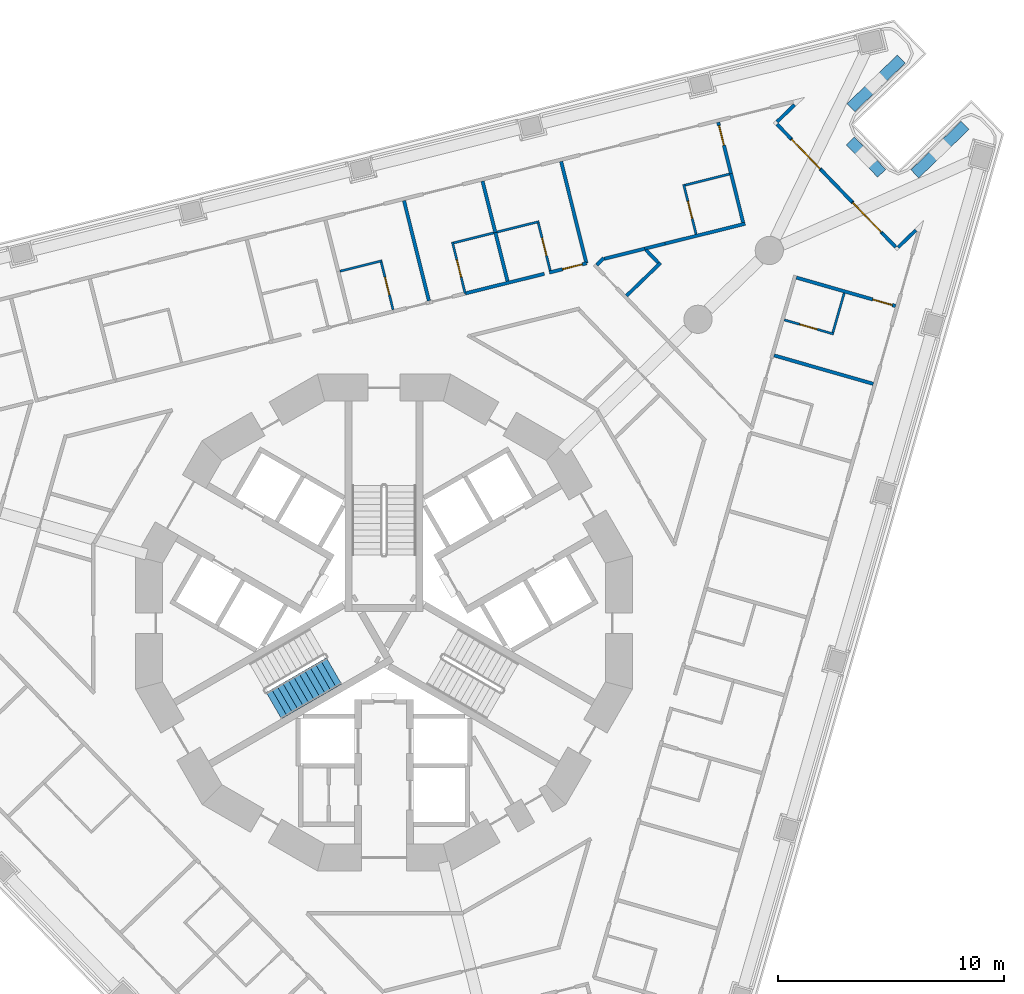
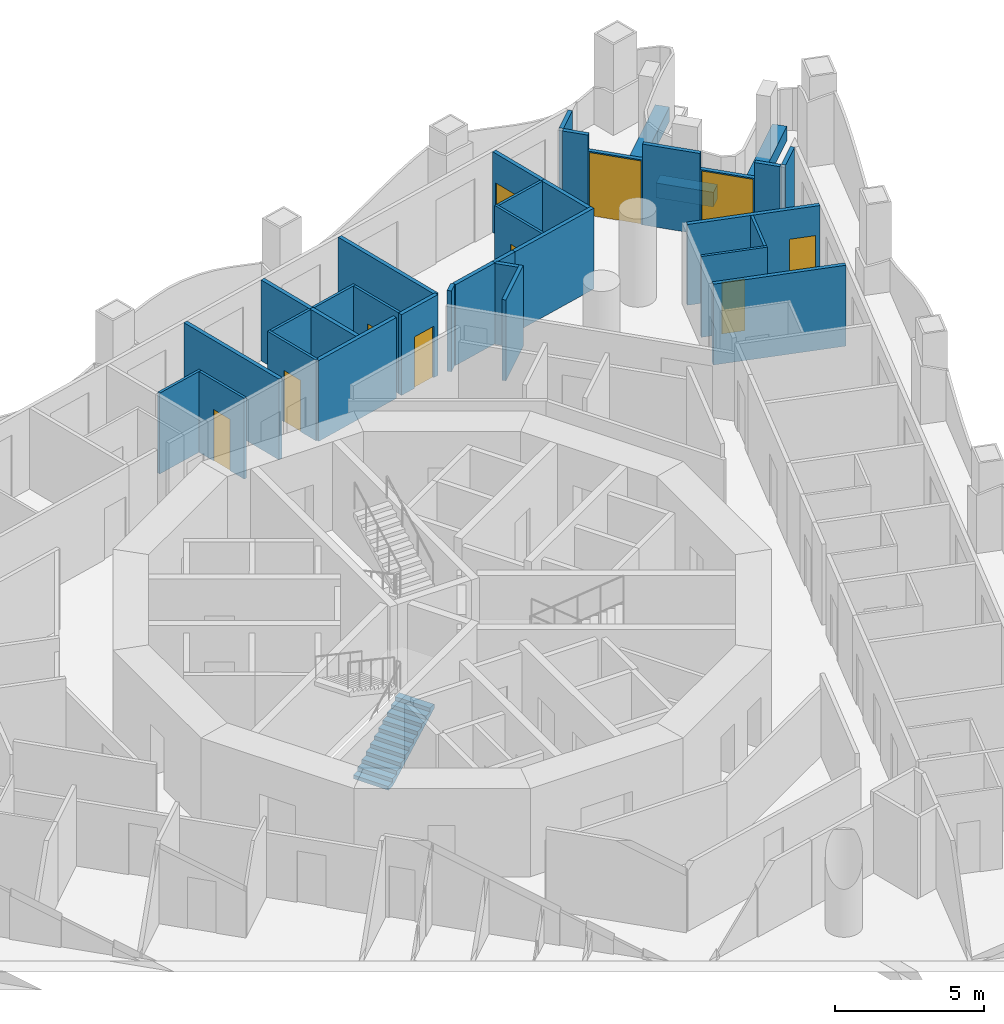
# One storey, part 11 of 20: 36 walls, 10 doors, 1 stair flight, 10 openings, 1 element without a shape of its own.
"""IFC4 building model written with IfcOpenShell, lengths in metres."""

from ifc_helpers import new_model, si_unit, direction, frame, frame_2d, origin, place, context, subcontext, project, spatial, polyline, rectangle, outline, extrude, material, layer, layer_set, type_object, element, fill, aggregate, save


model = new_model("IFC4")

# Units and contexts
model_context = context("Model", 3, precision=1e-05, world=origin(), true_north=direction((0.0, 1.0)))
body_context = subcontext(model_context, "Body", "Model", "MODEL_VIEW")
ifc_project = project(units=[si_unit("LENGTHUNIT", "METRE"), si_unit("AREAUNIT", "SQUARE_METRE"), si_unit("VOLUMEUNIT", "CUBIC_METRE"), si_unit("PLANEANGLEUNIT", "RADIAN"), si_unit("MASSUNIT", "GRAM", prefix="KILO")], contexts=[model_context])

# Site, building, storey
site_placement = place(None, origin())
site = spatial("IfcSite", under=ifc_project, at=site_placement, CompositionType="ELEMENT")
building_placement = place(site_placement, origin())
building = spatial("IfcBuilding", under=site, at=building_placement, Name="Trine Commons Tower", CompositionType="ELEMENT")
storey_placement = place(building_placement, frame((0.0, 0.0, 101.699951171875)))
storey = spatial("IfcBuildingStorey", under=building, at=storey_placement, Name="L25", CompositionType="ELEMENT", Elevation=101.699951171875)

# Walls
ifc_material_1 = material(Name="Aluminium-framed insulated wall panel", Category="aluminium")
ifc_layer_1 = layer(ifc_material_1, 0.14990234375)
ifc_layer_set_1 = layer_set([ifc_layer_1], Name="Aluminium-framed insulated wall panel")
wall_type_1 = type_object("IfcWallType", Name="Glazed frame wall 150, EI 60", PredefinedType="SOLIDWALL", material=ifc_layer_set_1)
wall_1_placement = place(storey_placement, frame((98.3076171875, 85.552490234375, 0.0), z_axis=(0.0, 0.0, 1.0), x_axis=(-0.719251336278, -0.694749966004, 0.0)))
element("IfcWall", 1, at=wall_1_placement, inside=storey, type_object=wall_type_1, Name="Glazed frame wall R5", PredefinedType="SOLIDWALL", context=body_context, shape_type="SweptSolid", body=[
    extrude(outline(polyline([(0.1494140625, 0.074951171875), (0.1494140625, -0.074951171875), (1.235107421875, -0.074951171875), (1.235107421875, 0.074951171875), (0.1494140625, 0.074951171875)])), origin(), (0.0, 0.0, 1.0), 3.300048828125),
])
wall_2_placement = place(storey_placement, frame((97.3408203125, 84.66748046875, 0.0), z_axis=(0.0, 0.0, 1.0), x_axis=(0.694668587965, -0.719329933267, 0.0)))
element("IfcWall", 2, at=wall_2_placement, inside=storey, type_object=wall_type_1, Name="Glazed frame wall P2.1", PredefinedType="SOLIDWALL", context=body_context, shape_type="SweptSolid", body=[
    extrude(outline(polyline([(0.110107421875, -0.074951171875), (1.0, -0.074951171875), (1.0, 0.074951171875), (0.110107421875, 0.074951171875), (0.110107421875, -0.074951171875)])), origin(), (0.0, 0.0, 1.0), 3.300048828125),
])

# Wall, opening, door
wall_3_placement = place(storey_placement, frame((98.035400390625, 83.9482421875, 0.0), z_axis=(0.0, 0.0, 1.0), x_axis=(0.694665586762, -0.719332831566, 0.0)))
wall_3 = element("IfcWall", 3, at=wall_3_placement, inside=storey, type_object=wall_type_1, Name="Glazed frame wall P2.2", PredefinedType="SOLIDWALL", context=body_context, shape_type="SweptSolid", body=[
    extrude(outline(polyline([(0.0, -0.074951171875), (1.89990234375, -0.074951171875), (1.89990234375, 0.074951171875), (0.0, 0.074951171875), (0.0, -0.074951171875)])), origin(), (0.0, 0.0, 1.0), 2.650146484375),
])
opening_1_placement = place(wall_3_placement, frame((0.050048828125, 0.0, 0.0)))
opening_1 = element("IfcOpeningElement", 4, at=opening_1_placement, cuts=wall_3, Name="Opening BD-3P2-01", PredefinedType="OPENING", context=body_context, shape_type="SweptSolid", body=[
    extrude(rectangle(XDim=1.800048828125, YDim=2.60009765625, at=frame_2d((0.89990234375, 1.300048828125))), frame((0.0, 0.0849609375, 0.0), z_axis=(0.0, -1.0, 0.0), x_axis=(1.0, 0.0, 0.0)), (0.0, 0.0, 1.0), 0.169921875),
])
ifc_material_2 = material(Name="Anodised aluminium frame with double glazing", Category="aluminium")
door_type_1 = type_object("IfcDoorType", Name="Sliding loggia door 1800x2600", OperationType="SLIDING_TO_LEFT", PredefinedType="DOOR", material=ifc_material_2)
door_1_placement = place(opening_1_placement, origin())
door_1 = element("IfcDoor", 5, at=door_1_placement, inside=storey, type_object=door_type_1, Name="Loggia door P2 1", OperationType="SLIDING_TO_LEFT", OverallHeight=2.60009765625, OverallWidth=1.800048828125, PredefinedType="DOOR", context=body_context, shape_type="SweptSolid", body=[
    extrude(rectangle(XDim=1.800048828125, YDim=2.60009765625, at=frame_2d((0.89990234375, 1.300048828125))), frame((0.0, 0.02490234375, 0.0), z_axis=(0.0, -1.0, 0.0), x_axis=(1.0, 0.0, 0.0)), (0.0, 0.0, 1.0), 0.050048828125),
])
fill(opening_1, door_1)

# Wall
wall_4_placement = place(storey_placement, frame((99.35546875, 82.581298828125, 0.0), z_axis=(0.0, 0.0, 1.0), x_axis=(0.694668587965, -0.719329933267, 0.0)))
element("IfcWall", 6, at=wall_4_placement, inside=storey, type_object=wall_type_1, Name="Glazed frame wall P2.3", PredefinedType="SOLIDWALL", context=body_context, shape_type="SweptSolid", body=[
    extrude(outline(polyline([(0.0, -0.074951171875), (2.0, -0.074951171875), (2.0, 0.074951171875), (0.0, 0.074951171875), (0.0, -0.074951171875)])), origin(), (0.0, 0.0, 1.0), 3.300048828125),
])

# Wall, opening, door
wall_5_placement = place(storey_placement, frame((100.74462890625, 81.142822265625, 0.0), z_axis=(0.0, 0.0, 1.0), x_axis=(0.694599099672, -0.719397032753, 0.0)))
wall_5 = element("IfcWall", 7, at=wall_5_placement, inside=storey, type_object=wall_type_1, Name="Glazed frame wall P2.4", PredefinedType="SOLIDWALL", context=body_context, shape_type="SweptSolid", body=[
    extrude(outline(polyline([(0.0, -0.074951171875), (1.89990234375, -0.074951171875), (1.89990234375, 0.074951171875), (0.0, 0.074951171875), (0.0, -0.074951171875)])), origin(), (0.0, 0.0, 1.0), 2.650146484375),
])
opening_2_placement = place(wall_5_placement, frame((0.050048828125, 0.0, 0.0)))
opening_2 = element("IfcOpeningElement", 8, at=opening_2_placement, cuts=wall_5, Name="Opening BD-3P2-02", PredefinedType="OPENING", context=body_context, shape_type="SweptSolid", body=[
    extrude(rectangle(XDim=1.800048828125, YDim=2.60009765625, at=frame_2d((0.89990234375, 1.300048828125))), frame((0.0, 0.0849609375, 0.0), z_axis=(0.0, -1.0, 0.0), x_axis=(1.0, 0.0, 0.0)), (0.0, 0.0, 1.0), 0.169921875),
])
door_2_placement = place(opening_2_placement, origin())
door_2 = element("IfcDoor", 9, at=door_2_placement, inside=storey, type_object=door_type_1, Name="Loggia door P2 2", OperationType="SLIDING_TO_LEFT", OverallHeight=2.60009765625, OverallWidth=1.800048828125, PredefinedType="DOOR", context=body_context, shape_type="SweptSolid", body=[
    extrude(rectangle(XDim=1.800048828125, YDim=2.60009765625, at=frame_2d((0.89990234375, 1.300048828125))), frame((0.0, 0.02490234375, 0.0), z_axis=(0.0, -1.0, 0.0), x_axis=(1.0, 0.0, 0.0)), (0.0, 0.0, 1.0), 0.050048828125),
])
fill(opening_2, door_2)

# Walls
wall_6_placement = place(storey_placement, frame((102.064453125, 79.77587890625, 0.0), z_axis=(0.0, 0.0, 1.0), x_axis=(0.694794898962, -0.719207931252, 0.0)))
element("IfcWall", 10, at=wall_6_placement, inside=storey, type_object=wall_type_1, Name="Glazed frame wall P2.5", PredefinedType="SOLIDWALL", context=body_context, shape_type="SweptSolid", body=[
    extrude(outline(polyline([(0.889892578125, 0.074951171875), (0.0, 0.074951171875), (0.0, -0.074951171875), (0.889892578125, -0.074951171875), (0.889892578125, 0.074951171875)])), origin(), (0.0, 0.0, 1.0), 3.300048828125),
])
wall_7_placement = place(storey_placement, frame((102.709716796875, 79.0576171875, 0.0), z_axis=(0.0, 0.0, 1.0), x_axis=(0.719342032924, 0.694656058542, 0.0)))
element("IfcWall", 11, at=wall_7_placement, inside=storey, type_object=wall_type_1, Name="Glazed frame wall R7", PredefinedType="SOLIDWALL", context=body_context, shape_type="SweptSolid", body=[
    extrude(outline(polyline([(0.110107421875, 0.074951171875), (0.110107421875, -0.074951171875), (1.19580078125, -0.074951171875), (1.19580078125, 0.074951171875), (0.110107421875, 0.074951171875)])), origin(), (0.0, 0.0, 1.0), 3.300048828125),
])
ifc_material_3 = material(Name="Planter trough, precast concrete C40/50", Category="concrete")
ifc_layer_2 = layer(ifc_material_3, 0.5)
ifc_layer_set_2 = layer_set([ifc_layer_2], Name="Planter trough, precast concrete C40/50")
wall_type_2 = type_object("IfcWallType", Name="Planter trough 500x600", PredefinedType="PARAPET", material=ifc_layer_set_2)
wall_8_placement = place(storey_placement, frame((102.923828125, 87.47314453125, 0.0), z_axis=(0.0, 0.0, 1.0), x_axis=(-0.719324109218, -0.694674618723, 0.0)))
element("IfcWall", 12, at=wall_8_placement, inside=storey, type_object=wall_type_2, Name="Planter 4", PredefinedType="PARAPET", context=body_context, shape_type="SweptSolid", body=[
    extrude(rectangle(XDim=3.10009765625, YDim=0.5, at=frame_2d((1.550048828125, 0.0))), origin(), (0.0, 0.0, 1.0), 0.60009765625),
])
wall_9_placement = place(storey_placement, frame((100.668212890625, 83.84912109375, 0.0), z_axis=(0.0, 0.0, 1.0), x_axis=(0.694731751498, -0.719268929859, 0.0)))
element("IfcWall", 13, at=wall_9_placement, inside=storey, type_object=wall_type_2, Name="Planter 5", PredefinedType="PARAPET", context=body_context, shape_type="SweptSolid", body=[
    extrude(rectangle(XDim=2.0, YDim=0.5, at=frame_2d((1.0, 0.0))), origin(), (0.0, 0.0, 1.0), 0.60009765625),
])
wall_10_placement = place(storey_placement, frame((103.528076171875, 82.385009765625, 0.0), z_axis=(0.0, 0.0, 1.0), x_axis=(0.719363462475, 0.694633866765, 0.0)))
element("IfcWall", 14, at=wall_10_placement, inside=storey, type_object=wall_type_2, Name="Planter 6", PredefinedType="PARAPET", context=body_context, shape_type="SweptSolid", body=[
    extrude(rectangle(XDim=3.099853515625, YDim=0.5, at=frame_2d((1.5498046875, 0.0))), origin(), (0.0, 0.0, 1.0), 0.60009765625),
])
ifc_material_4 = material(Name="Gypsum plasterboard on steel stud", Category="steel")
ifc_layer_3 = layer(ifc_material_4, 0.14990234375)
ifc_layer_set_3 = layer_set([ifc_layer_3], Name="Gypsum plasterboard on steel stud")
wall_type_3 = type_object("IfcWallType", Name="Unit and corridor wall 150 mm, EI 60", PredefinedType="PARTITIONING", material=ifc_layer_set_3)
wall_11_placement = place(storey_placement, frame((80.8857421875, 81.1982421875, 0.0), z_axis=(0.0, 0.0, 1.0), x_axis=(0.241932529305, -0.970293074934, 0.0)))
element("IfcWall", 15, at=wall_11_placement, inside=storey, type_object=wall_type_3, Name="Partition 078", PredefinedType="PARTITIONING", context=body_context, shape_type="SweptSolid", body=[
    extrude(rectangle(XDim=4.572265625, YDim=0.14990234375, at=frame_2d((2.2861328125, 0.0))), origin(), (0.0, 0.0, 1.0), 3.300048828125),
])
wall_12_placement = place(storey_placement, frame((83.594970703125, 77.083984375, 0.0), z_axis=(0.0, 0.0, 1.0), x_axis=(0.97027343731, 0.242011274224, 0.0)))
element("IfcWall", 16, at=wall_12_placement, inside=storey, type_object=wall_type_3, Name="Partition 084", PredefinedType="PARTITIONING", context=body_context, shape_type="SweptSolid", body=[
    extrude(rectangle(XDim=3.615478515625, YDim=0.14990234375, at=frame_2d((1.8076171875, 0.0))), origin(), (0.0, 0.0, 1.0), 3.300048828125),
])
wall_13_placement = place(storey_placement, frame((84.36669921875, 82.066162109375, 0.0), z_axis=(0.0, 0.0, 1.0), x_axis=(0.242070735259, -0.970258604255, 0.0)))
element("IfcWall", 17, at=wall_13_placement, inside=storey, type_object=wall_type_3, Name="Partition 088", PredefinedType="PARTITIONING", context=body_context, shape_type="SweptSolid", body=[
    extrude(rectangle(XDim=2.347900390625, YDim=0.14990234375, at=frame_2d((1.173828125, 0.0))), origin(), (0.0, 0.0, 1.0), 3.300048828125),
])
wall_14_placement = place(storey_placement, frame((84.93505859375, 79.7880859375, 0.0), z_axis=(0.0, 0.0, 1.0), x_axis=(0.241812399695, -0.970323020109, 0.0)))
element("IfcWall", 18, at=wall_14_placement, inside=storey, type_object=wall_type_3, Name="Partition 089", PredefinedType="PARTITIONING", context=body_context, shape_type="SweptSolid", body=[
    extrude(rectangle(XDim=2.22412109375, YDim=0.14990234375, at=frame_2d((1.112060546875, 0.0))), origin(), (0.0, 0.0, 1.0), 3.300048828125),
])

# Wall, opening, door
wall_15_placement = place(storey_placement, frame((87.33056640625, 78.015869140625, 0.0), z_axis=(0.0, 0.0, 1.0), x_axis=(0.970480149454, 0.241181009858, 0.0)))
wall_15 = element("IfcWall", 19, at=wall_15_placement, inside=storey, type_object=wall_type_3, Name="Partition 096", PredefinedType="PARTITIONING", context=body_context, shape_type="SweptSolid", body=[
    extrude(rectangle(XDim=1.696533203125, YDim=0.14990234375, at=frame_2d((0.84814453125, 0.0))), origin(), (0.0, 0.0, 1.0), 3.300048828125),
])
opening_3_placement = place(wall_15_placement, frame((0.598876953125, 0.0, 0.0)))
opening_3 = element("IfcOpeningElement", 20, at=opening_3_placement, cuts=wall_15, Name="Opening D-3B14", PredefinedType="OPENING", context=body_context, shape_type="SweptSolid", body=[
    extrude(rectangle(XDim=0.89990234375, YDim=2.10009765625, at=frame_2d((0.449951171875, 1.050048828125))), frame((0.0, 0.0849609375, 0.0), z_axis=(0.0, -1.0, 0.0), x_axis=(1.0, 0.0, 0.0)), (0.0, 0.0, 1.0), 0.169921875),
])
ifc_material_5 = material(Name="Timber fire door set", Category="wood")
door_type_2 = type_object("IfcDoorType", Name="Bedroom door 900 x 2100, FD30S", OperationType="NOTDEFINED", PredefinedType="DOOR", material=ifc_material_5)
door_3_placement = place(opening_3_placement, origin())
door_3 = element("IfcDoor", 21, at=door_3_placement, inside=storey, type_object=door_type_2, Name="Door D-3B14", OperationType="SINGLE_SWING_RIGHT", OverallHeight=2.10009765625, OverallWidth=0.89990234375, PredefinedType="DOOR", context=body_context, shape_type="SweptSolid", body=[
    extrude(rectangle(XDim=0.89990234375, YDim=2.10009765625, at=frame_2d((0.449951171875, 1.050048828125))), frame((0.0, 0.02490234375, 0.0), z_axis=(0.0, -1.0, 0.0), x_axis=(1.0, 0.0, 0.0)), (0.0, 0.0, 1.0), 0.050048828125),
])
fill(opening_3, door_3)

# Walls
wall_16_placement = place(storey_placement, frame((87.8486328125, 82.93408203125, 0.0), z_axis=(0.0, 0.0, 1.0), x_axis=(0.24192986462, -0.970293739341, 0.0)))
element("IfcWall", 22, at=wall_16_placement, inside=storey, type_object=wall_type_3, Name="Partition 099", PredefinedType="PARTITIONING", context=body_context, shape_type="SweptSolid", body=[
    extrude(rectangle(XDim=4.64697265625, YDim=0.14990234375, at=frame_2d((2.323486328125, 0.0))), origin(), (0.0, 0.0, 1.0), 3.300048828125),
])
wall_17_placement = place(storey_placement, frame((89.431884765625, 78.354248046875, 0.0), z_axis=(0.0, 0.0, 1.0), x_axis=(0.71857486408, 0.695449613352, 0.0)))
element("IfcWall", 23, at=wall_17_placement, inside=storey, type_object=wall_type_3, Name="Partition 108", PredefinedType="PARTITIONING", context=body_context, shape_type="SweptSolid", body=[
    extrude(rectangle(XDim=0.432861328125, YDim=0.14990234375, at=frame_2d((0.21630859375, 0.0))), origin(), (0.0, 0.0, 1.0), 3.300048828125),
])
wall_18_placement = place(storey_placement, frame((89.76171875, 78.62109375, 0.0), z_axis=(0.0, 0.0, 1.0), x_axis=(0.970212352615, 0.242256043958, 0.0)))
element("IfcWall", 24, at=wall_18_placement, inside=storey, type_object=wall_type_3, Name="Partition 110", PredefinedType="PARTITIONING", context=body_context, shape_type="SweptSolid", body=[
    extrude(rectangle(XDim=1.849365234375, YDim=0.14990234375, at=frame_2d((0.9248046875, 0.0))), origin(), (0.0, 0.0, 1.0), 3.300048828125),
])
wall_19_placement = place(storey_placement, frame((90.751953125, 76.987060546875, 0.0), z_axis=(0.0, 0.0, 1.0), x_axis=(0.719152982376, 0.694851774079, 0.0)))
element("IfcWall", 25, at=wall_19_placement, inside=storey, type_object=wall_type_3, Name="Partition 114", PredefinedType="PARTITIONING", context=body_context, shape_type="SweptSolid", body=[
    extrude(rectangle(XDim=2.099609375, YDim=0.14990234375, at=frame_2d((1.0498046875, 0.0))), origin(), (0.0, 0.0, 1.0), 3.300048828125),
])
wall_20_placement = place(storey_placement, frame((91.608154296875, 79.01513671875, 0.0), z_axis=(0.0, 0.0, 1.0), x_axis=(0.694771305492, -0.71923072311, 0.0)))
element("IfcWall", 26, at=wall_20_placement, inside=storey, type_object=wall_type_3, Name="Partition 118", PredefinedType="PARTITIONING", context=body_context, shape_type="SweptSolid", body=[
    extrude(rectangle(XDim=0.78857421875, YDim=0.14990234375, at=frame_2d((0.394287109375, 0.0))), origin(), (0.0, 0.0, 1.0), 3.300048828125),
])
wall_21_placement = place(storey_placement, frame((91.555908203125, 79.069091796875, 0.0), z_axis=(0.0, 0.0, 1.0), x_axis=(0.970312917643, 0.241852934351, 0.0)))
element("IfcWall", 27, at=wall_21_placement, inside=storey, type_object=wall_type_3, Name="Partition 119", PredefinedType="PARTITIONING", context=body_context, shape_type="SweptSolid", body=[
    extrude(rectangle(XDim=0.92578125, YDim=0.14990234375, at=frame_2d((0.462890625, 0.0))), origin(), (0.0, 0.0, 1.0), 3.300048828125),
])
wall_22_placement = place(storey_placement, frame((92.4541015625, 79.29296875, 0.0), z_axis=(0.0, 0.0, 1.0), x_axis=(0.970299100739, 0.241908360967, 0.0)))
element("IfcWall", 28, at=wall_22_placement, inside=storey, type_object=wall_type_3, Name="Partition 124", PredefinedType="PARTITIONING", context=body_context, shape_type="SweptSolid", body=[
    extrude(rectangle(XDim=3.66357421875, YDim=0.14990234375, at=frame_2d((1.831787109375, 0.0))), origin(), (0.0, 0.0, 1.0), 3.300048828125),
])

# Wall, opening, door
wall_23_placement = place(storey_placement, frame((94.811767578125, 84.671142578125, 0.0), z_axis=(0.0, 0.0, 1.0), x_axis=(0.24200944289, -0.97027389409, 0.0)))
wall_23 = element("IfcWall", 29, at=wall_23_placement, inside=storey, type_object=wall_type_3, Name="Partition 137", PredefinedType="PARTITIONING", context=body_context, shape_type="SweptSolid", body=[
    extrude(rectangle(XDim=2.40185546875, YDim=0.14990234375, at=frame_2d((1.200927734375, 0.0))), origin(), (0.0, 0.0, 1.0), 3.300048828125),
])
opening_4_placement = place(wall_23_placement, frame((0.14990234375, 0.0, 0.0)))
opening_4 = element("IfcOpeningElement", 30, at=opening_4_placement, cuts=wall_23, Name="Opening D-3B15", PredefinedType="OPENING", context=body_context, shape_type="SweptSolid", body=[
    extrude(rectangle(XDim=0.89990234375, YDim=2.10009765625, at=frame_2d((0.449951171875, 1.050048828125))), frame((0.0, 0.0849609375, 0.0), z_axis=(0.0, -1.0, 0.0), x_axis=(1.0, 0.0, 0.0)), (0.0, 0.0, 1.0), 0.169921875),
])
door_4_placement = place(opening_4_placement, frame((0.89990234375, 0.0, 0.0), z_axis=(0.0, 0.0, 1.0), x_axis=(-1.0, 0.0, 0.0)))
door_4 = element("IfcDoor", 31, at=door_4_placement, inside=storey, type_object=door_type_2, Name="Door D-3B15", OperationType="SINGLE_SWING_RIGHT", OverallHeight=2.10009765625, OverallWidth=0.89990234375, PredefinedType="DOOR", context=body_context, shape_type="SweptSolid", body=[
    extrude(rectangle(XDim=0.89990234375, YDim=2.10009765625, at=frame_2d((0.449951171875, 1.050048828125))), frame((0.0, 0.02490234375, 0.0), z_axis=(0.0, -1.0, 0.0), x_axis=(1.0, 0.0, 0.0)), (0.0, 0.0, 1.0), 0.050048828125),
])
fill(opening_4, door_4)

# Walls
wall_24_placement = place(storey_placement, frame((95.37890625, 82.39697265625, 0.0), z_axis=(0.0, 0.0, 1.0), x_axis=(0.241814032712, -0.970322613147, 0.0)))
element("IfcWall", 32, at=wall_24_placement, inside=storey, type_object=wall_type_3, Name="Partition 140", PredefinedType="PARTITIONING", context=body_context, shape_type="SweptSolid", body=[
    extrude(rectangle(XDim=2.229248046875, YDim=0.14990234375, at=frame_2d((1.11474609375, 0.0))), origin(), (0.0, 0.0, 1.0), 3.300048828125),
])
wall_25_placement = place(storey_placement, frame((97.2890625, 74.33935546875, 0.0), z_axis=(0.0, 0.0, 1.0), x_axis=(0.961269673231, -0.275609534171, 0.0)))
element("IfcWall", 33, at=wall_25_placement, inside=storey, type_object=wall_type_3, Name="Partition 149", PredefinedType="PARTITIONING", context=body_context, shape_type="SweptSolid", body=[
    extrude(rectangle(XDim=4.572509765625, YDim=0.14990234375, at=frame_2d((2.2861328125, 0.0))), origin(), (0.0, 0.0, 1.0), 3.300048828125),
])

# Wall, opening, door
wall_26_placement = place(storey_placement, frame((98.278076171875, 77.789306640625, 0.0), z_axis=(0.0, 0.0, 1.0), x_axis=(0.961269673231, -0.275609534171, 0.0)))
wall_26 = element("IfcWall", 34, at=wall_26_placement, inside=storey, type_object=wall_type_3, Name="Partition 151", PredefinedType="PARTITIONING", context=body_context, shape_type="SweptSolid", body=[
    extrude(rectangle(XDim=4.572509765625, YDim=0.14990234375, at=frame_2d((2.2861328125, 0.0))), origin(), (0.0, 0.0, 1.0), 3.300048828125),
])
opening_5_placement = place(wall_26_placement, frame((3.522705078125, 0.0, 0.0)))
opening_5 = element("IfcOpeningElement", 35, at=opening_5_placement, cuts=wall_26, Name="Opening D-3B16", PredefinedType="OPENING", context=body_context, shape_type="SweptSolid", body=[
    extrude(rectangle(XDim=0.89990234375, YDim=2.10009765625, at=frame_2d((0.449951171875, 1.050048828125))), frame((0.0, 0.0849609375, 0.0), z_axis=(0.0, -1.0, 0.0), x_axis=(1.0, 0.0, 0.0)), (0.0, 0.0, 1.0), 0.169921875),
])
door_5_placement = place(opening_5_placement, frame((0.89990234375, 0.0, 0.0), z_axis=(0.0, 0.0, 1.0), x_axis=(-1.0, 0.0, 0.0)))
door_5 = element("IfcDoor", 36, at=door_5_placement, inside=storey, type_object=door_type_2, Name="Door D-3B16", OperationType="SINGLE_SWING_LEFT", OverallHeight=2.10009765625, OverallWidth=0.89990234375, PredefinedType="DOOR", context=body_context, shape_type="SweptSolid", body=[
    extrude(rectangle(XDim=0.89990234375, YDim=2.10009765625, at=frame_2d((0.449951171875, 1.050048828125))), frame((0.0, 0.02490234375, 0.0), z_axis=(0.0, -1.0, 0.0), x_axis=(1.0, 0.0, 0.0)), (0.0, 0.0, 1.0), 0.050048828125),
])
fill(opening_5, door_5)

# Wall
ifc_layer_4 = layer(ifc_material_4, 0.10009765625)
ifc_layer_set_4 = layer_set([ifc_layer_4], Name="Gypsum plasterboard on steel stud")
wall_type_4 = type_object("IfcWallType", Name="Unit partition 100 mm, no rating", PredefinedType="PARTITIONING", material=ifc_layer_set_4)
wall_27_placement = place(storey_placement, frame((78.044921875, 78.0703125, 0.0), z_axis=(0.0, 0.0, 1.0), x_axis=(0.970276645771, 0.241998410475, 0.0)))
element("IfcWall", 37, at=wall_27_placement, inside=storey, type_object=wall_type_4, Name="Partition 067", PredefinedType="PARTITIONING", context=body_context, shape_type="SweptSolid", body=[
    extrude(rectangle(XDim=1.9248046875, YDim=0.10009765625, at=frame_2d((0.96240234375, 0.0))), origin(), (0.0, 0.0, 1.0), 3.300048828125),
])

# Wall, opening, door
wall_28_placement = place(storey_placement, frame((79.876220703125, 78.4755859375, 0.0), z_axis=(0.0, 0.0, 1.0), x_axis=(0.241637657135, -0.970366550668, 0.0)))
wall_28 = element("IfcWall", 38, at=wall_28_placement, inside=storey, type_object=wall_type_4, Name="Partition 073", PredefinedType="PARTITIONING", context=body_context, shape_type="SweptSolid", body=[
    extrude(rectangle(XDim=2.17529296875, YDim=0.10009765625, at=frame_2d((1.087646484375, 0.0))), origin(), (0.0, 0.0, 1.0), 3.300048828125),
])
opening_6_placement = place(wall_28_placement, frame((0.6875, 0.0, 0.0)))
opening_6 = element("IfcOpeningElement", 39, at=opening_6_placement, cuts=wall_28, Name="Opening D-3B47", PredefinedType="OPENING", context=body_context, shape_type="SweptSolid", body=[
    extrude(rectangle(XDim=0.800048828125, YDim=2.10009765625, at=frame_2d((0.39990234375, 1.050048828125))), frame((0.0, 0.06005859375, 0.0), z_axis=(0.0, -1.0, 0.0), x_axis=(1.0, 0.0, 0.0)), (0.0, 0.0, 1.0), 0.1201171875),
])
ifc_material_6 = material(Name="Painted timber", Category="wood")
door_type_3 = type_object("IfcDoorType", Name="Internal door 800 x 2100, NOT RATED", OperationType="NOTDEFINED", PredefinedType="DOOR", material=ifc_material_6)
door_6_placement = place(opening_6_placement, origin())
door_6 = element("IfcDoor", 40, at=door_6_placement, inside=storey, type_object=door_type_3, Name="Door D-3B47", OperationType="SINGLE_SWING_RIGHT", OverallHeight=2.10009765625, OverallWidth=0.800048828125, PredefinedType="DOOR", context=body_context, shape_type="SweptSolid", body=[
    extrude(rectangle(XDim=0.800048828125, YDim=2.10009765625, at=frame_2d((0.39990234375, 1.050048828125))), frame((0.0, 0.02490234375, 0.0), z_axis=(0.0, -1.0, 0.0), x_axis=(1.0, 0.0, 0.0)), (0.0, 0.0, 1.0), 0.050048828125),
])
fill(opening_6, door_6)

wall_29_placement = place(storey_placement, frame((83.031005859375, 79.365478515625, 0.0), z_axis=(0.0, 0.0, 1.0), x_axis=(0.241728942951, -0.970343814398, 0.0)))
wall_29 = element("IfcWall", 41, at=wall_29_placement, inside=storey, type_object=wall_type_4, Name="Partition 081", PredefinedType="PARTITIONING", context=body_context, shape_type="SweptSolid", body=[
    extrude(rectangle(XDim=2.35009765625, YDim=0.10009765625, at=frame_2d((1.175048828125, 0.0))), origin(), (0.0, 0.0, 1.0), 3.300048828125),
])
opening_7_placement = place(wall_29_placement, frame((0.800048828125, 0.0, 0.0)))
opening_7 = element("IfcOpeningElement", 42, at=opening_7_placement, cuts=wall_29, Name="Opening D-3B48", PredefinedType="OPENING", context=body_context, shape_type="SweptSolid", body=[
    extrude(rectangle(XDim=0.800048828125, YDim=2.10009765625, at=frame_2d((0.39990234375, 1.050048828125))), frame((0.0, 0.06005859375, 0.0), z_axis=(0.0, -1.0, 0.0), x_axis=(1.0, 0.0, 0.0)), (0.0, 0.0, 1.0), 0.1201171875),
])
door_7_placement = place(opening_7_placement, frame((0.800048828125, 0.0, 0.0), z_axis=(0.0, 0.0, 1.0), x_axis=(-1.0, 0.0, 0.0)))
door_7 = element("IfcDoor", 43, at=door_7_placement, inside=storey, type_object=door_type_3, Name="Door D-3B48", OperationType="SINGLE_SWING_LEFT", OverallHeight=2.10009765625, OverallWidth=0.800048828125, PredefinedType="DOOR", context=body_context, shape_type="SweptSolid", body=[
    extrude(rectangle(XDim=0.800048828125, YDim=2.10009765625, at=frame_2d((0.39990234375, 1.050048828125))), frame((0.0, 0.02490234375, 0.0), z_axis=(0.0, -1.0, 0.0), x_axis=(1.0, 0.0, 0.0)), (0.0, 0.0, 1.0), 0.050048828125),
])
fill(opening_7, door_7)

# Walls
wall_30_placement = place(storey_placement, frame((83.091552734375, 79.3291015625, 0.0), z_axis=(0.0, 0.0, 1.0), x_axis=(0.970370298601, 0.241622605718, 0.0)))
element("IfcWall", 44, at=wall_30_placement, inside=storey, type_object=wall_type_4, Name="Partition 082", PredefinedType="PARTITIONING", context=body_context, shape_type="SweptSolid", body=[
    extrude(rectangle(XDim=1.82470703125, YDim=0.10009765625, at=frame_2d((0.912353515625, 0.0))), origin(), (0.0, 0.0, 1.0), 3.300048828125),
])
wall_31_placement = place(storey_placement, frame((85.0078125, 79.80615234375, 0.0), z_axis=(0.0, 0.0, 1.0), x_axis=(0.970246858135, 0.242117810743, 0.0)))
element("IfcWall", 45, at=wall_31_placement, inside=storey, type_object=wall_type_4, Name="Partition 090", PredefinedType="PARTITIONING", context=body_context, shape_type="SweptSolid", body=[
    extrude(rectangle(XDim=1.925048828125, YDim=0.10009765625, at=frame_2d((0.96240234375, 0.0))), origin(), (0.0, 0.0, 1.0), 3.300048828125),
])

# Wall, opening, door
wall_32_placement = place(storey_placement, frame((86.839111328125, 80.21142578125, 0.0), z_axis=(0.0, 0.0, 1.0), x_axis=(0.241875032927, -0.97030740925, 0.0)))
wall_32 = element("IfcWall", 46, at=wall_32_placement, inside=storey, type_object=wall_type_4, Name="Partition 091", PredefinedType="PARTITIONING", context=body_context, shape_type="SweptSolid", body=[
    extrude(rectangle(XDim=2.174072265625, YDim=0.10009765625, at=frame_2d((1.0869140625, 0.0))), origin(), (0.0, 0.0, 1.0), 3.300048828125),
])
opening_8_placement = place(wall_32_placement, frame((0.687255859375, 0.0, 0.0)))
opening_8 = element("IfcOpeningElement", 47, at=opening_8_placement, cuts=wall_32, Name="Opening D-3B49", PredefinedType="OPENING", context=body_context, shape_type="SweptSolid", body=[
    extrude(rectangle(XDim=0.800048828125, YDim=2.10009765625, at=frame_2d((0.39990234375, 1.050048828125))), frame((0.0, 0.06005859375, 0.0), z_axis=(0.0, -1.0, 0.0), x_axis=(1.0, 0.0, 0.0)), (0.0, 0.0, 1.0), 0.1201171875),
])
door_8_placement = place(opening_8_placement, origin())
door_8 = element("IfcDoor", 48, at=door_8_placement, inside=storey, type_object=door_type_3, Name="Door D-3B49", OperationType="SINGLE_SWING_RIGHT", OverallHeight=2.10009765625, OverallWidth=0.800048828125, PredefinedType="DOOR", context=body_context, shape_type="SweptSolid", body=[
    extrude(rectangle(XDim=0.800048828125, YDim=2.10009765625, at=frame_2d((0.39990234375, 1.050048828125))), frame((0.0, 0.02490234375, 0.0), z_axis=(0.0, -1.0, 0.0), x_axis=(1.0, 0.0, 0.0)), (0.0, 0.0, 1.0), 0.050048828125),
])
fill(opening_8, door_8)

wall_33_placement = place(storey_placement, frame((93.281982421875, 81.92041015625, 0.0), z_axis=(0.0, 0.0, 1.0), x_axis=(0.241777706381, -0.970331665307, 0.0)))
wall_33 = element("IfcWall", 49, at=wall_33_placement, inside=storey, type_object=wall_type_4, Name="Partition 130", PredefinedType="PARTITIONING", context=body_context, shape_type="SweptSolid", body=[
    extrude(rectangle(XDim=2.27392578125, YDim=0.10009765625, at=frame_2d((1.136962890625, 0.0))), origin(), (0.0, 0.0, 1.0), 3.300048828125),
])
opening_9_placement = place(wall_33_placement, frame((0.76220703125, 0.0, 0.0)))
opening_9 = element("IfcOpeningElement", 50, at=opening_9_placement, cuts=wall_33, Name="Opening D-3B50", PredefinedType="OPENING", context=body_context, shape_type="SweptSolid", body=[
    extrude(rectangle(XDim=0.800048828125, YDim=2.10009765625, at=frame_2d((0.39990234375, 1.050048828125))), frame((0.0, 0.06005859375, 0.0), z_axis=(0.0, -1.0, 0.0), x_axis=(1.0, 0.0, 0.0)), (0.0, 0.0, 1.0), 0.1201171875),
])
door_9_placement = place(opening_9_placement, frame((0.800048828125, 0.0, 0.0), z_axis=(0.0, 0.0, 1.0), x_axis=(-1.0, 0.0, 0.0)))
door_9 = element("IfcDoor", 51, at=door_9_placement, inside=storey, type_object=door_type_3, Name="Door D-3B50", OperationType="SINGLE_SWING_LEFT", OverallHeight=2.10009765625, OverallWidth=0.800048828125, PredefinedType="DOOR", context=body_context, shape_type="SweptSolid", body=[
    extrude(rectangle(XDim=0.800048828125, YDim=2.10009765625, at=frame_2d((0.39990234375, 1.050048828125))), frame((0.0, 0.02490234375, 0.0), z_axis=(0.0, -1.0, 0.0), x_axis=(1.0, 0.0, 0.0)), (0.0, 0.0, 1.0), 0.050048828125),
])
fill(opening_9, door_9)

# Wall
wall_34_placement = place(storey_placement, frame((93.342529296875, 81.884033203125, 0.0), z_axis=(0.0, 0.0, 1.0), x_axis=(0.970192124519, 0.242337041168, 0.0)))
element("IfcWall", 52, at=wall_34_placement, inside=storey, type_object=wall_type_4, Name="Partition 131", PredefinedType="PARTITIONING", context=body_context, shape_type="SweptSolid", body=[
    extrude(rectangle(XDim=2.02490234375, YDim=0.10009765625, at=frame_2d((1.012451171875, 0.0))), origin(), (0.0, 0.0, 1.0), 3.300048828125),
])

# Wall, opening, door
wall_35_placement = place(storey_placement, frame((97.7412109375, 75.914306640625, 0.0), z_axis=(0.0, 0.0, 1.0), x_axis=(0.961244019441, -0.27569899363, 0.0)))
wall_35 = element("IfcWall", 53, at=wall_35_placement, inside=storey, type_object=wall_type_4, Name="Partition 150", PredefinedType="PARTITIONING", context=body_context, shape_type="SweptSolid", body=[
    extrude(rectangle(XDim=2.27490234375, YDim=0.10009765625, at=frame_2d((1.137451171875, 0.0))), origin(), (0.0, 0.0, 1.0), 3.300048828125),
])
opening_10_placement = place(wall_35_placement, frame((0.71240234375, 0.0, 0.0)))
opening_10 = element("IfcOpeningElement", 54, at=opening_10_placement, cuts=wall_35, Name="Opening D-3B51", PredefinedType="OPENING", context=body_context, shape_type="SweptSolid", body=[
    extrude(rectangle(XDim=0.800048828125, YDim=2.10009765625, at=frame_2d((0.39990234375, 1.050048828125))), frame((0.0, 0.06005859375, 0.0), z_axis=(0.0, -1.0, 0.0), x_axis=(1.0, 0.0, 0.0)), (0.0, 0.0, 1.0), 0.1201171875),
])
door_10_placement = place(opening_10_placement, frame((0.800048828125, 0.0, 0.0), z_axis=(0.0, 0.0, 1.0), x_axis=(-1.0, 0.0, 0.0)))
door_10 = element("IfcDoor", 55, at=door_10_placement, inside=storey, type_object=door_type_3, Name="Door D-3B51", OperationType="SINGLE_SWING_RIGHT", OverallHeight=2.10009765625, OverallWidth=0.800048828125, PredefinedType="DOOR", context=body_context, shape_type="SweptSolid", body=[
    extrude(rectangle(XDim=0.800048828125, YDim=2.10009765625, at=frame_2d((0.39990234375, 1.050048828125))), frame((0.0, 0.02490234375, 0.0), z_axis=(0.0, -1.0, 0.0), x_axis=(1.0, 0.0, 0.0)), (0.0, 0.0, 1.0), 0.050048828125),
])
fill(opening_10, door_10)

# Wall
wall_36_placement = place(storey_placement, frame((99.893798828125, 75.34912109375, 0.0), z_axis=(0.0, 0.0, 1.0), x_axis=(0.275374633487, 0.961336991503, 0.0)))
element("IfcWall", 56, at=wall_36_placement, inside=storey, type_object=wall_type_4, Name="Partition 153", PredefinedType="PARTITIONING", context=body_context, shape_type="SweptSolid", body=[
    extrude(rectangle(XDim=1.825439453125, YDim=0.10009765625, at=frame_2d((0.91259765625, 0.0))), origin(), (0.0, 0.0, 1.0), 3.300048828125),
])

# Stair, stair flight
ifc_material_7 = material(Name="Concrete C50/60", Category="concrete")
stair_type = type_object("IfcStairType", Name="Exit stair, dog-leg, 24 risers of 150 mm", PredefinedType="HALF_TURN_STAIR", material=ifc_material_7)
stair_placement = place(storey_placement, origin())
stair = element("IfcStair", 57, at=stair_placement, inside=storey, type_object=stair_type, Name="L25 Exit stair ST2A", PredefinedType="HALF_TURN_STAIR")
stair_flight_type = type_object("IfcStairFlightType", Name="Stair flight, 1350 wide, 12 risers of 150 mm", PredefinedType="STRAIGHT", material=ifc_material_7)
stair_flight_placement = place(storey_placement, frame((75.11767578125, 58.815185546875, 0.0), z_axis=(0.0, 0.0, 1.0), x_axis=(0.866025403784, 0.5, 0.0)))
stair_flight = element("IfcStairFlight", 58, at=stair_flight_placement, type_object=stair_flight_type, Name="ST2A flight 1", NumberOfRisers=12, NumberOfTreads=11, PredefinedType="STRAIGHT", RiserHeight=0.15, TreadLength=0.28, context=body_context, shape_type="SweptSolid", body=[
    extrude(outline(polyline([(0.0, 0.0), (0.0, 0.14990234375), (0.280029296875, 0.14990234375), (0.280029296875, 0.300048828125), (0.56005859375, 0.300048828125), (0.56005859375, 0.449951171875), (0.840087890625, 0.449951171875), (0.840087890625, 0.60009765625), (1.1201171875, 0.60009765625), (1.1201171875, 0.75), (1.39990234375, 0.75), (1.39990234375, 0.89990234375), (1.679931640625, 0.89990234375), (1.679931640625, 1.050048828125), (1.9599609375, 1.050048828125), (1.9599609375, 1.199951171875), (2.239990234375, 1.199951171875), (2.239990234375, 1.35009765625), (2.52001953125, 1.35009765625), (2.52001953125, 1.5), (2.800048828125, 1.5), (2.800048828125, 1.64990234375), (3.080078125, 1.64990234375), (3.080078125, 1.800048828125), (3.080078125, 1.47998046875), (0.3173828125, 0.0), (0.0, 0.0)])), frame((0.0, 0.675048828125, 0.0), z_axis=(0.0, -1.0, 0.0), x_axis=(1.0, 0.0, 0.0)), (0.0, 0.0, 1.0), 1.35009765625),
])
aggregate(stair, [stair_flight])

save(model, "model.ifc")
